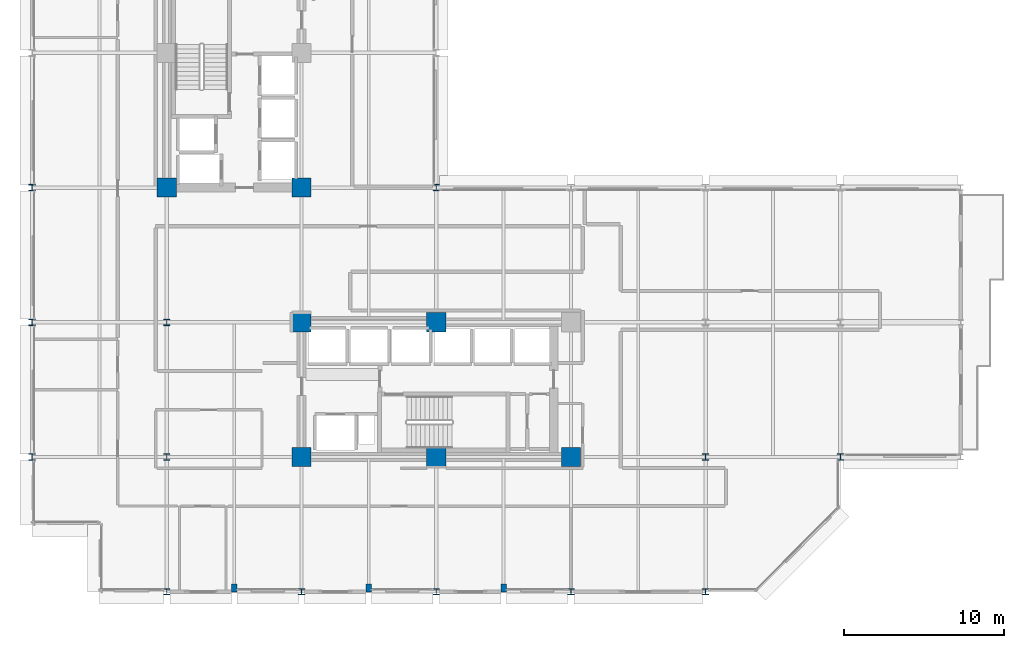
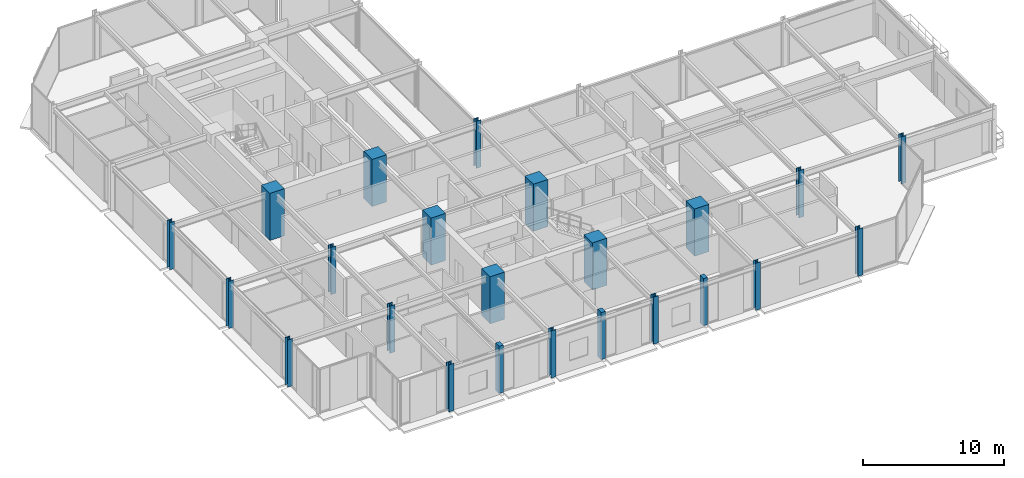
# One storey, part 1 of 39: 23 columns.
"""IFC4 building model written with IfcOpenShell, lengths in metres."""

from ifc_helpers import new_model, si_unit, direction, frame, origin, origin_2d, place, context, subcontext, project, spatial, rectangle, i_section, extrude, material, material_profile, profile_set, type_object, element, save


model = new_model("IFC4")

# Units and contexts
model_context = context("Model", 3, precision=1e-05, world=origin(), true_north=direction((0.0, 1.0)))
body_context = subcontext(model_context, "Body", "Model", "MODEL_VIEW")
ifc_project = project(units=[si_unit("LENGTHUNIT", "METRE"), si_unit("AREAUNIT", "SQUARE_METRE"), si_unit("VOLUMEUNIT", "CUBIC_METRE"), si_unit("PLANEANGLEUNIT", "RADIAN"), si_unit("MASSUNIT", "GRAM", prefix="KILO")], contexts=[model_context])

# Site, building, storey
site_placement = place(None, origin())
site = spatial("IfcSite", under=ifc_project, at=site_placement, CompositionType="ELEMENT")
building_placement = place(site_placement, origin())
building = spatial("IfcBuilding", under=site, at=building_placement, Name="Nerrivon Quay Data Exchange", CompositionType="ELEMENT")
storey_placement = place(building_placement, frame((0.0, 0.0, 104.89990234375)))
storey = spatial("IfcBuildingStorey", under=building, at=storey_placement, Name="L24", CompositionType="ELEMENT", Elevation=104.89990234375)

# Columns
ifc_material_1 = material(Name="Concrete S65 (65 MPa)", Category="concrete")
ifc_material_profile_1 = material_profile(ifc_material_1, rectangle(XDim=1.199951171875, YDim=1.199951171875, at=origin_2d()), Name="RC-COL-1200x1200")
ifc_profile_set_1 = profile_set([ifc_material_profile_1], Name="Concrete S65 (65 MPa)")
column_type_1 = type_object("IfcColumnType", Name="COL-C3-1200", PredefinedType="COLUMN", material=ifc_profile_set_1)
for number, where, z_axis, x_axis, name in (
    (1, (8.39990234375, 25.199951171875, 0.0), (0.0, 0.0, 1.0), (1.0, 0.0, 0.0), "L24 Column (8.4,25.2)"),
    (2, (16.800048828125, 8.39990234375, 0.0), (0.0, 0.0, 1.0), (1.0, 0.0, 0.0), "L24 Column (16.8,8.4)"),
    (3, (16.800048828125, 16.800048828125, 0.0), (0.0, 0.0, 1.0), (1.0, 0.0, 0.0), "L24 Column (16.8,16.8)"),
    (4, (16.800048828125, 25.199951171875, 0.0), (0.0, 0.0, 1.0), (1.0, 0.0, 0.0), "L24 Column (16.8,25.2)"),
    (5, (25.199951171875, 8.39990234375, 0.0), (0.0, 0.0, 1.0), (1.0, 0.0, 0.0), "L24 Column (25.2,8.4)"),
    (6, (25.199951171875, 16.800048828125, 0.0), (0.0, 0.0, 1.0), (1.0, 0.0, 0.0), "L24 Column (25.2,16.8)"),
    (7, (33.60009765625, 8.39990234375, 0.0), (0.0, 0.0, 1.0), (1.0, 0.0, 0.0), "L24 Column (33.6,8.4)"),
):
    element("IfcColumn", number, at=place(storey_placement, frame(where, z_axis=z_axis, x_axis=x_axis)), inside=storey, type_object=column_type_1, Name=name, PredefinedType="COLUMN", context=body_context, shape_type="SweptSolid", body=[
        extrude(rectangle(XDim=1.199951171875, YDim=1.199951171875, at=origin_2d()), origin(), (0.0, 0.0, 1.0), 4.10009765625),
    ])
ifc_material_2 = material(Name="Steel Grade 350", Category="steel")
ifc_material_profile_2 = material_profile(ifc_material_2, i_section(OverallWidth=0.39990234375, OverallDepth=0.39990234375, WebThickness=0.02490234375, FlangeThickness=0.0400390625, at=origin_2d()), Name="400WC328")
ifc_profile_set_2 = profile_set([ifc_material_profile_2], Name="Steel Grade 350")
column_type_2 = type_object("IfcColumnType", Name="COL-SC2-400WC", PredefinedType="COLUMN", material=ifc_profile_set_2)
for number, where, z_axis, x_axis, name in (
    (8, (0.0, 8.39990234375, 0.0), (0.0, 0.0, 1.0), (1.0, 0.0, 0.0), "L24 Column (0.0,8.4)"),
    (9, (0.0, 16.800048828125, 0.0), (0.0, 0.0, 1.0), (1.0, 0.0, 0.0), "L24 Column (0.0,16.8)"),
    (10, (0.0, 25.199951171875, 0.0), (0.0, 0.0, 1.0), (1.0, 0.0, 0.0), "L24 Column (0.0,25.2)"),
    (11, (8.39990234375, 0.0, 0.0), (0.0, 0.0, 1.0), (1.0, 0.0, 0.0), "L24 Column (8.4,0.0)"),
    (12, (8.39990234375, 8.39990234375, 0.0), (0.0, 0.0, 1.0), (1.0, 0.0, 0.0), "L24 Column (8.4,8.4)"),
    (13, (8.39990234375, 16.800048828125, 0.0), (0.0, 0.0, 1.0), (1.0, 0.0, 0.0), "L24 Column (8.4,16.8)"),
    (14, (16.800048828125, 0.0, 0.0), (0.0, 0.0, 1.0), (1.0, 0.0, 0.0), "L24 Column (16.8,0.0)"),
    (15, (25.199951171875, 0.0, 0.0), (0.0, 0.0, 1.0), (1.0, 0.0, 0.0), "L24 Column (25.2,0.0)"),
    (16, (25.199951171875, 25.199951171875, 0.0), (0.0, 0.0, 1.0), (1.0, 0.0, 0.0), "L24 Column (25.2,25.2)"),
    (17, (33.60009765625, 0.0, 0.0), (0.0, 0.0, 1.0), (1.0, 0.0, 0.0), "L24 Column (33.6,0.0)"),
    (18, (42.0, 0.0, 0.0), (0.0, 0.0, 1.0), (1.0, 0.0, 0.0), "L24 Column (42.0,0.0)"),
    (19, (42.0, 8.39990234375, 0.0), (0.0, 0.0, 1.0), (1.0, 0.0, 0.0), "L24 Column (42.0,8.4)"),
    (20, (50.39990234375, 8.39990234375, 0.0), (0.0, 0.0, 1.0), (1.0, 0.0, 0.0), "L24 Column (50.4,8.4)"),
):
    element("IfcColumn", number, at=place(storey_placement, frame(where, z_axis=z_axis, x_axis=x_axis)), inside=storey, type_object=column_type_2, Name=name, PredefinedType="COLUMN", context=body_context, shape_type="SweptSolid", body=[
        extrude(i_section(OverallWidth=0.39990234375, OverallDepth=0.39990234375, WebThickness=0.02490234375, FlangeThickness=0.0400390625, at=origin_2d()), origin(), (0.0, 0.0, 1.0), 4.10009765625),
    ])
ifc_material_3 = material(Name="Concrete N50 (50 MPa)", Category="concrete")
ifc_material_profile_3 = material_profile(ifc_material_3, rectangle(XDim=0.35009765625, YDim=0.5, at=origin_2d()), Name="RC-PIL-500x350")
ifc_profile_set_3 = profile_set([ifc_material_profile_3], Name="Concrete N50 (50 MPa)")
column_type_3 = type_object("IfcColumnType", Name="PIL-P2-500x350", PredefinedType="PILASTER", material=ifc_profile_set_3)
for number, where, z_axis, x_axis, name in (
    (21, (12.60009765625, 0.25, 0.0), (0.0, 0.0, 1.0), (1.0, 0.0, 0.0), "L24 Facade Pilaster (12.6)"),
    (22, (21.0, 0.25, 0.0), (0.0, 0.0, 1.0), (1.0, 0.0, 0.0), "L24 Facade Pilaster (21.0)"),
    (23, (29.39990234375, 0.25, 0.0), (0.0, 0.0, 1.0), (1.0, 0.0, 0.0), "L24 Facade Pilaster (29.4)"),
):
    element("IfcColumn", number, at=place(storey_placement, frame(where, z_axis=z_axis, x_axis=x_axis)), inside=storey, type_object=column_type_3, Name=name, PredefinedType="PILASTER", context=body_context, shape_type="SweptSolid", body=[
        extrude(rectangle(XDim=0.35009765625, YDim=0.5, at=origin_2d()), origin(), (0.0, 0.0, 1.0), 4.10009765625),
    ])

save(model, "model.ifc")
